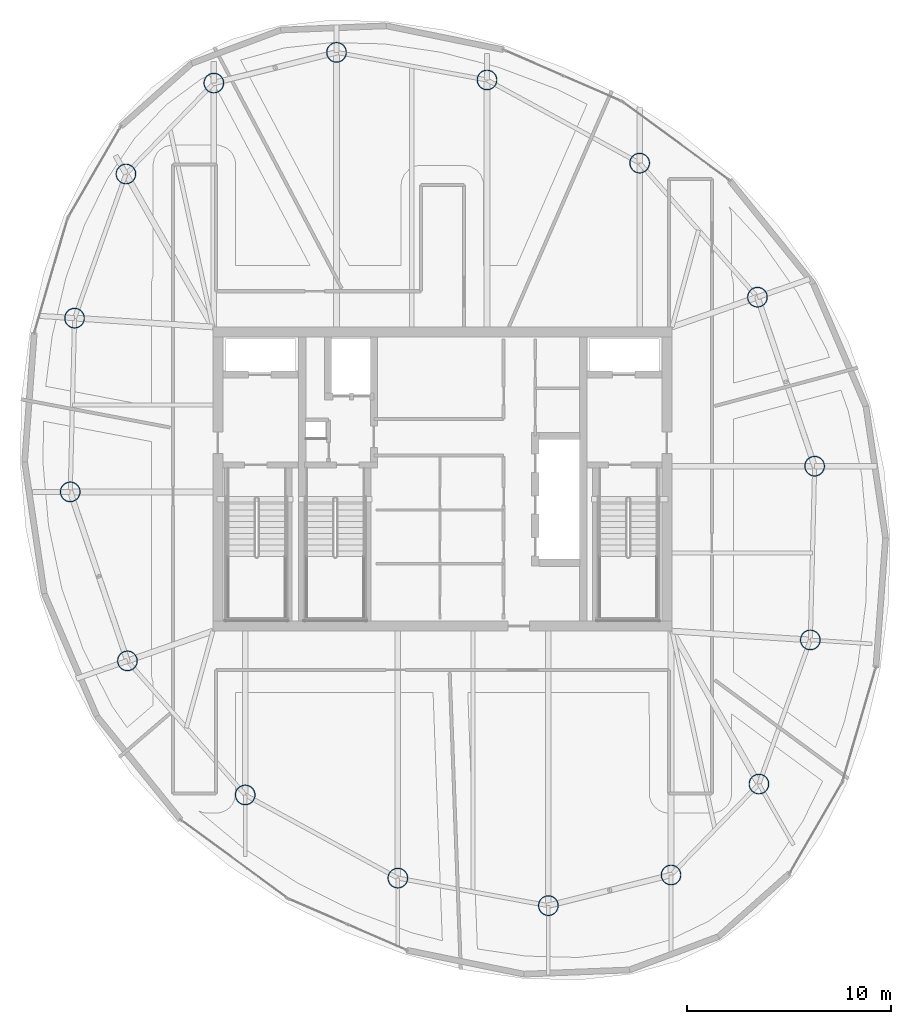
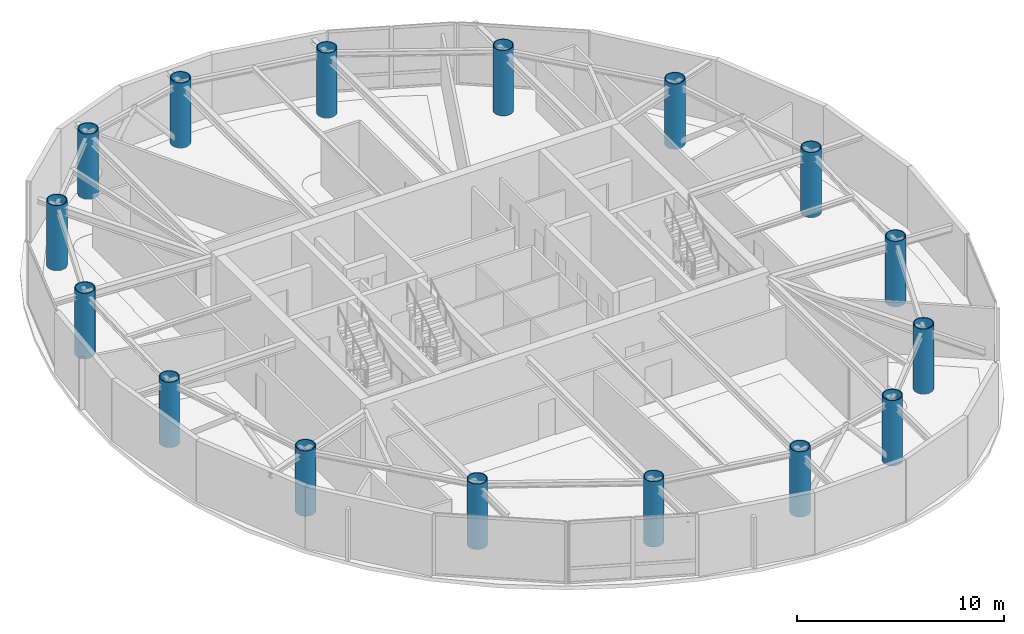
# One storey, part 1 of 20: 16 columns.
"""IFC4 building model written with IfcOpenShell, lengths in metres."""

from ifc_helpers import new_model, si_unit, direction, frame, origin, origin_2d, place, context, subcontext, project, spatial, hollow_circle, extrude, material, material_profile, profile_set, type_object, element, save


model = new_model("IFC4")

# Units and contexts
model_context = context("Model", 3, precision=1e-05, world=origin(), true_north=direction((0.0, 1.0)))
body_context = subcontext(model_context, "Body", "Model", "MODEL_VIEW")
ifc_project = project(units=[si_unit("LENGTHUNIT", "METRE"), si_unit("AREAUNIT", "SQUARE_METRE"), si_unit("VOLUMEUNIT", "CUBIC_METRE"), si_unit("PLANEANGLEUNIT", "RADIAN"), si_unit("MASSUNIT", "GRAM", prefix="KILO")], contexts=[model_context])

# Site, building, storey
site_placement = place(None, origin())
site = spatial("IfcSite", under=ifc_project, at=site_placement, CompositionType="ELEMENT")
building_placement = place(site_placement, origin())
building = spatial("IfcBuilding", under=site, at=building_placement, Name="Bramvorn Convention Spire", CompositionType="ELEMENT")
storey_placement = place(building_placement, frame((0.0, 0.0, 269.0)))
storey = spatial("IfcBuildingStorey", under=building, at=storey_placement, Name="L68", CompositionType="ELEMENT", Elevation=269.0)

# Columns
ifc_material = material(Name="Steel CSA G40.21 Grade 350 (350W)", Category="steel")
ifc_material_profile = material_profile(ifc_material, hollow_circle(Radius=0.5, WallThickness=0.044921875, at=origin_2d()))
ifc_profile_set = profile_set([ifc_material_profile], Name="Steel CSA G40.21 Grade 350 (350W) - CFT1000X45")
column_type = type_object("IfcColumnType", Name="COL-CFT1000X45", PredefinedType="COLUMN", material=ifc_profile_set)
for number, where, z_axis, x_axis, name in (
    (1, (49.199951171875, 6.60107421875, 0.0), (0.0, 0.0, 1.0), (1.0, 0.0, 0.0), "L68 composite CFT mega-column MC01"),
    (2, (53.50634765625, 11.05615234375, 0.0), (0.0, 0.0, 1.0), (1.0, 0.0, 0.0), "L68 composite CFT mega-column MC02"),
    (3, (56.023681640625, 18.116455078125, 0.0), (0.0, 0.0, 1.0), (1.0, 0.0, 0.0), "L68 composite CFT mega-column MC03"),
    (4, (56.234619140625, 26.62939453125, 0.0), (0.0, 0.0, 1.0), (1.0, 0.0, 0.0), "L68 composite CFT mega-column MC04"),
    (5, (53.4326171875, 34.909912109375, 0.0), (0.0, 0.0, 1.0), (1.0, 0.0, 0.0), "L68 composite CFT mega-column MC05"),
    (6, (47.662353515625, 41.476806640625, 0.0), (0.0, 0.0, 1.0), (1.0, 0.0, 0.0), "L68 composite CFT mega-column MC06"),
    (7, (40.1845703125, 45.55078125, 0.0), (0.0, 0.0, 1.0), (1.0, 0.0, 0.0), "L68 composite CFT mega-column MC07"),
    (8, (32.8115234375, 46.90087890625, 0.0), (0.0, 0.0, 1.0), (1.0, 0.0, 0.0), "L68 composite CFT mega-column MC08"),
    (9, (26.800048828125, 45.39892578125, 0.0), (0.0, 0.0, 1.0), (1.0, 0.0, 0.0), "L68 composite CFT mega-column MC09"),
    (10, (22.49365234375, 40.94384765625, 0.0), (0.0, 0.0, 1.0), (1.0, 0.0, 0.0), "L68 composite CFT mega-column MC10"),
    (11, (19.976318359375, 33.883544921875, 0.0), (0.0, 0.0, 1.0), (1.0, 0.0, 0.0), "L68 composite CFT mega-column MC11"),
    (12, (19.765380859375, 25.37060546875, 0.0), (0.0, 0.0, 1.0), (1.0, 0.0, 0.0), "L68 composite CFT mega-column MC12"),
    (13, (22.5673828125, 17.090087890625, 0.0), (0.0, 0.0, 1.0), (1.0, 0.0, 0.0), "L68 composite CFT mega-column MC13"),
    (14, (28.337646484375, 10.523193359375, 0.0), (0.0, 0.0, 1.0), (1.0, 0.0, 0.0), "L68 composite CFT mega-column MC14"),
    (15, (35.8154296875, 6.44921875, 0.0), (0.0, 0.0, 1.0), (1.0, 0.0, 0.0), "L68 composite CFT mega-column MC15"),
    (16, (43.1884765625, 5.09912109375, 0.0), (0.0, 0.0, 1.0), (1.0, 0.0, 0.0), "L68 composite CFT mega-column MC16"),
):
    element("IfcColumn", number, at=place(storey_placement, frame(where, z_axis=z_axis, x_axis=x_axis)), inside=storey, type_object=column_type, Name=name, PredefinedType="COLUMN", context=body_context, shape_type="SweptSolid", body=[
        extrude(hollow_circle(Radius=0.5, WallThickness=0.044921875, at=origin_2d()), origin(), (0.0, 0.0, 1.0), 3.85009765625),
    ])

save(model, "model.ifc")
